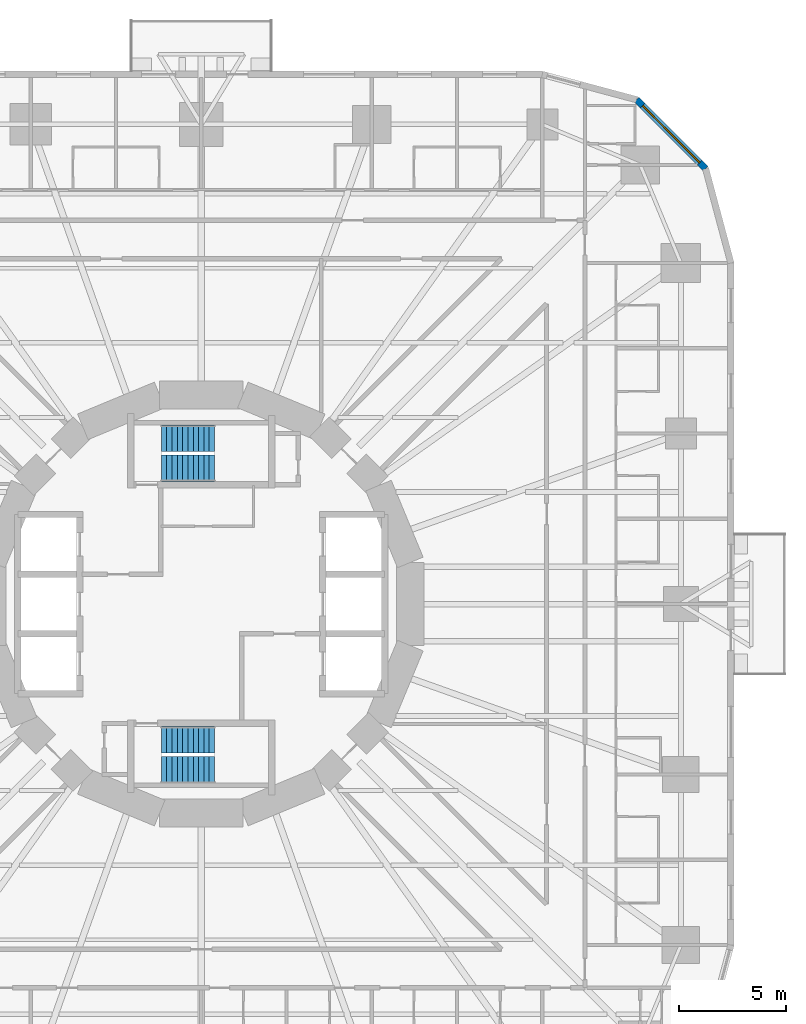
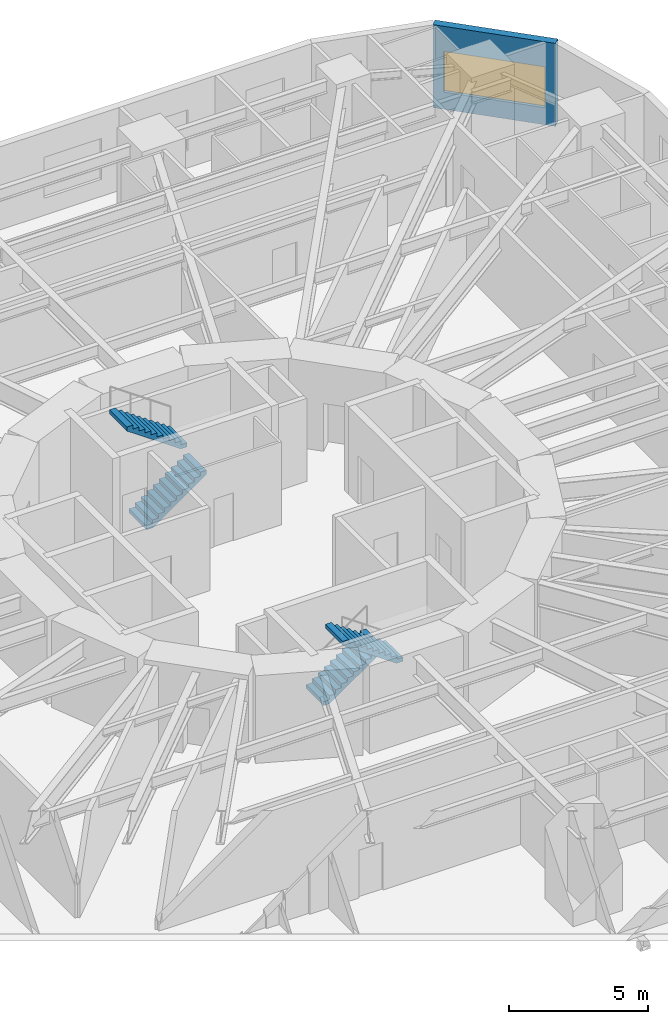
# One storey, part 12 of 14: 4 stair flights, 1 wall, 1 window, 1 opening, 2 elements without a shape of their own.
"""IFC4 building model written with IfcOpenShell, lengths in metres."""

from ifc_helpers import new_model, si_unit, direction, frame, frame_2d, origin, place, context, subcontext, project, spatial, polyline, rectangle, outline, extrude, material, layer, layer_set, type_object, element, fill, aggregate, save


model = new_model("IFC4")

# Units and contexts
model_context = context("Model", 3, precision=1e-05, world=origin(), true_north=direction((0.0, 1.0)))
body_context = subcontext(model_context, "Body", "Model", "MODEL_VIEW")
ifc_project = project(units=[si_unit("LENGTHUNIT", "METRE"), si_unit("AREAUNIT", "SQUARE_METRE"), si_unit("VOLUMEUNIT", "CUBIC_METRE"), si_unit("PLANEANGLEUNIT", "RADIAN"), si_unit("MASSUNIT", "GRAM", prefix="KILO")], contexts=[model_context])

# Site, building, storey
site_placement = place(None, origin())
site = spatial("IfcSite", under=ifc_project, at=site_placement, CompositionType="ELEMENT")
building_placement = place(site_placement, origin())
building = spatial("IfcBuilding", under=site, at=building_placement, Name="Nakasero Lantern House", CompositionType="ELEMENT")
storey_placement = place(building_placement, frame((0.0, 0.0, 35.25)))
storey = spatial("IfcBuildingStorey", under=building, at=storey_placement, Name="L08", CompositionType="ELEMENT", Elevation=35.25)

# Wall, opening, window
ifc_material_1 = material(Name="Aluminium rainscreen on blockwork", Category="masonry")
ifc_layer = layer(ifc_material_1, 0.300048828125)
ifc_layer_set = layer_set([ifc_layer], Name="Facade wall 300")
wall_type = type_object("IfcWallType", Name="Facade wall 300", PredefinedType="SOLIDWALL", material=ifc_layer_set)
wall_placement = place(storey_placement, frame((23.664306640625, 20.425048828125, 0.0), z_axis=(0.0, 0.0, 1.0), x_axis=(-0.707106781187, 0.707106781187, 0.0)))
wall = element("IfcWall", 1, at=wall_placement, inside=storey, type_object=wall_type, Name="Facade wall L08 FW0C2", PredefinedType="SOLIDWALL", context=body_context, shape_type="SweptSolid", body=[
    extrude(rectangle(XDim=4.5810546875, YDim=0.300048828125, at=frame_2d((2.29052734375, 0.0))), origin(), (0.0, 0.0, 1.0), 3.64990234375),
])
opening_placement = place(wall_placement, frame((0.39990234375, 0.0, 0.75)))
opening = element("IfcOpeningElement", 2, at=opening_placement, cuts=wall, Name="Opening W237", PredefinedType="OPENING", context=body_context, shape_type="SweptSolid", body=[
    extrude(rectangle(XDim=3.781005859375, YDim=1.800048828125, at=frame_2d((1.890625, 0.89990234375))), frame((0.0, 0.169921875, 0.0), z_axis=(0.0, -1.0, 0.0), x_axis=(1.0, 0.0, 0.0)), (0.0, 0.0, 1.0), 0.340087890625),
])
ifc_material_2 = material(Name="Aluminium 6063-T6 and glass", Category="aluminium")
window_type = type_object("IfcWindowType", Name="Corner window 3781x1800", PartitioningType="SINGLE_PANEL", PredefinedType="WINDOW", material=ifc_material_2)
window_placement = place(opening_placement, origin())
window = element("IfcWindow", 3, at=window_placement, inside=storey, type_object=window_type, Name="Window L08 WC0", OverallHeight=1.800048828125, OverallWidth=3.781005859375, PartitioningType="SINGLE_PANEL", PredefinedType="WINDOW", context=body_context, shape_type="SweptSolid", body=[
    extrude(rectangle(XDim=3.781005859375, YDim=1.800048828125, at=frame_2d((1.890625, 0.89990234375))), frame((0.0, 0.030029296875, 0.0), z_axis=(0.0, -1.0, 0.0), x_axis=(1.0, 0.0, 0.0)), (0.0, 0.0, 1.0), 0.06005859375),
])
fill(opening, window)

# Stair, stair flights
ifc_material_3 = material(Name="Concrete C40/50", Category="concrete")
stair_type_1 = type_object("IfcStairType", Name="Escape stair ST1 22 risers", PredefinedType="HALF_TURN_STAIR", material=ifc_material_3)
stair_1_placement = place(storey_placement, origin())
stair_1 = element("IfcStair", 4, at=stair_1_placement, inside=storey, type_object=stair_type_1, Name="Escape stair ST1 L08", PredefinedType="HALF_TURN_STAIR")
ifc_material_4 = material(Name="Concrete C40/50", Category="concrete")
stair_flight_type = type_object("IfcStairFlightType", Name="Escape stair flight", PredefinedType="STRAIGHT", material=ifc_material_4)
stair_flight_1_placement = place(storey_placement, frame((-1.875, 6.375, 0.0), z_axis=(0.0, 0.0, 1.0), x_axis=(1.0, 0.0, 0.0)))
stair_flight_1 = element("IfcStairFlight", 5, at=stair_flight_1_placement, type_object=stair_flight_type, Name="ST1 flight 1", NumberOfRisers=11, NumberOfTreads=10, PredefinedType="STRAIGHT", RiserHeight=0.175, TreadLength=0.25, context=body_context, shape_type="SweptSolid", body=[
    extrude(outline(polyline([(0.0, 0.0), (0.0, 0.175048828125), (0.25, 0.175048828125), (0.25, 0.35009765625), (0.5, 0.35009765625), (0.5, 0.52490234375), (0.75, 0.52490234375), (0.75, 0.699951171875), (1.0, 0.699951171875), (1.0, 0.875), (1.25, 0.875), (1.25, 1.050048828125), (1.5, 1.050048828125), (1.5, 1.22509765625), (1.75, 1.22509765625), (1.75, 1.39990234375), (2.0, 1.39990234375), (2.0, 1.574951171875), (2.25, 1.574951171875), (2.25, 1.75), (2.5, 1.75), (2.5, 1.925048828125), (2.5, 1.567138671875), (0.261474609375, 0.0), (0.0, 0.0)])), frame((0.0, 0.625, 0.0), z_axis=(0.0, -1.0, 0.0), x_axis=(1.0, 0.0, 0.0)), (0.0, 0.0, 1.0), 1.25),
])
stair_flight_2_placement = place(storey_placement, frame((0.625, 7.77490234375, 1.925048828125), z_axis=(0.0, 0.0, 1.0), x_axis=(-1.0, 0.0, 0.0)))
stair_flight_2 = element("IfcStairFlight", 6, at=stair_flight_2_placement, type_object=stair_flight_type, Name="ST1 flight 2", NumberOfRisers=11, NumberOfTreads=10, PredefinedType="STRAIGHT", RiserHeight=0.175, TreadLength=0.25, context=body_context, shape_type="SweptSolid", body=[
    extrude(outline(polyline([(0.0, 0.0), (0.0, 0.175048828125), (0.25, 0.175048828125), (0.25, 0.35009765625), (0.5, 0.35009765625), (0.5, 0.52490234375), (0.75, 0.52490234375), (0.75, 0.699951171875), (1.0, 0.699951171875), (1.0, 0.875), (1.25, 0.875), (1.25, 1.050048828125), (1.5, 1.050048828125), (1.5, 1.22509765625), (1.75, 1.22509765625), (1.75, 1.39990234375), (2.0, 1.39990234375), (2.0, 1.574951171875), (2.25, 1.574951171875), (2.25, 1.75), (2.5, 1.75), (2.5, 1.925048828125), (2.5, 1.567138671875), (0.261474609375, 0.0), (0.0, 0.0)])), frame((0.0, 0.625, 0.0), z_axis=(0.0, -1.0, 0.0), x_axis=(1.0, 0.0, 0.0)), (0.0, 0.0, 1.0), 1.25),
])
aggregate(stair_1, [stair_flight_1, stair_flight_2])

ifc_material_5 = material(Name="Concrete C40/50", Category="concrete")
stair_type_2 = type_object("IfcStairType", Name="Escape stair ST2 22 risers", PredefinedType="HALF_TURN_STAIR", material=ifc_material_5)
stair_2_placement = place(storey_placement, origin())
stair_2 = element("IfcStair", 7, at=stair_2_placement, inside=storey, type_object=stair_type_2, Name="Escape stair ST2 L08", PredefinedType="HALF_TURN_STAIR")
stair_flight_3_placement = place(storey_placement, frame((-1.875, -6.375, 0.0), z_axis=(0.0, 0.0, 1.0), x_axis=(1.0, 0.0, 0.0)))
stair_flight_3 = element("IfcStairFlight", 8, at=stair_flight_3_placement, type_object=stair_flight_type, Name="ST2 flight 1", NumberOfRisers=11, NumberOfTreads=10, PredefinedType="STRAIGHT", RiserHeight=0.175, TreadLength=0.25, context=body_context, shape_type="SweptSolid", body=[
    extrude(outline(polyline([(0.0, 0.0), (0.0, 0.175048828125), (0.25, 0.175048828125), (0.25, 0.35009765625), (0.5, 0.35009765625), (0.5, 0.52490234375), (0.75, 0.52490234375), (0.75, 0.699951171875), (1.0, 0.699951171875), (1.0, 0.875), (1.25, 0.875), (1.25, 1.050048828125), (1.5, 1.050048828125), (1.5, 1.22509765625), (1.75, 1.22509765625), (1.75, 1.39990234375), (2.0, 1.39990234375), (2.0, 1.574951171875), (2.25, 1.574951171875), (2.25, 1.75), (2.5, 1.75), (2.5, 1.925048828125), (2.5, 1.567138671875), (0.261474609375, 0.0), (0.0, 0.0)])), frame((0.0, 0.625, 0.0), z_axis=(0.0, -1.0, 0.0), x_axis=(1.0, 0.0, 0.0)), (0.0, 0.0, 1.0), 1.25),
])
stair_flight_4_placement = place(storey_placement, frame((0.625, -7.77490234375, 1.925048828125), z_axis=(0.0, 0.0, 1.0), x_axis=(-1.0, 0.0, 0.0)))
stair_flight_4 = element("IfcStairFlight", 9, at=stair_flight_4_placement, type_object=stair_flight_type, Name="ST2 flight 2", NumberOfRisers=11, NumberOfTreads=10, PredefinedType="STRAIGHT", RiserHeight=0.175, TreadLength=0.25, context=body_context, shape_type="SweptSolid", body=[
    extrude(outline(polyline([(0.0, 0.0), (0.0, 0.175048828125), (0.25, 0.175048828125), (0.25, 0.35009765625), (0.5, 0.35009765625), (0.5, 0.52490234375), (0.75, 0.52490234375), (0.75, 0.699951171875), (1.0, 0.699951171875), (1.0, 0.875), (1.25, 0.875), (1.25, 1.050048828125), (1.5, 1.050048828125), (1.5, 1.22509765625), (1.75, 1.22509765625), (1.75, 1.39990234375), (2.0, 1.39990234375), (2.0, 1.574951171875), (2.25, 1.574951171875), (2.25, 1.75), (2.5, 1.75), (2.5, 1.925048828125), (2.5, 1.567138671875), (0.261474609375, 0.0), (0.0, 0.0)])), frame((0.0, 0.625, 0.0), z_axis=(0.0, -1.0, 0.0), x_axis=(1.0, 0.0, 0.0)), (0.0, 0.0, 1.0), 1.25),
])
aggregate(stair_2, [stair_flight_3, stair_flight_4])

save(model, "model.ifc")
